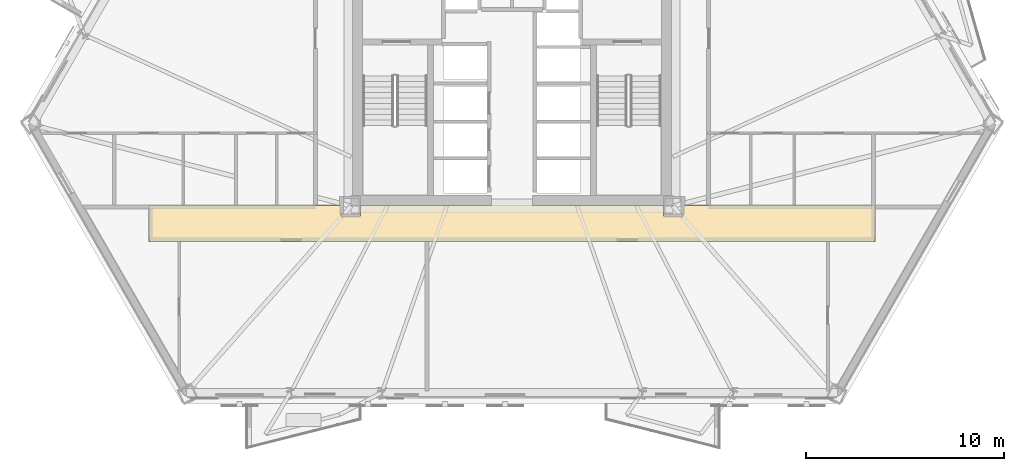
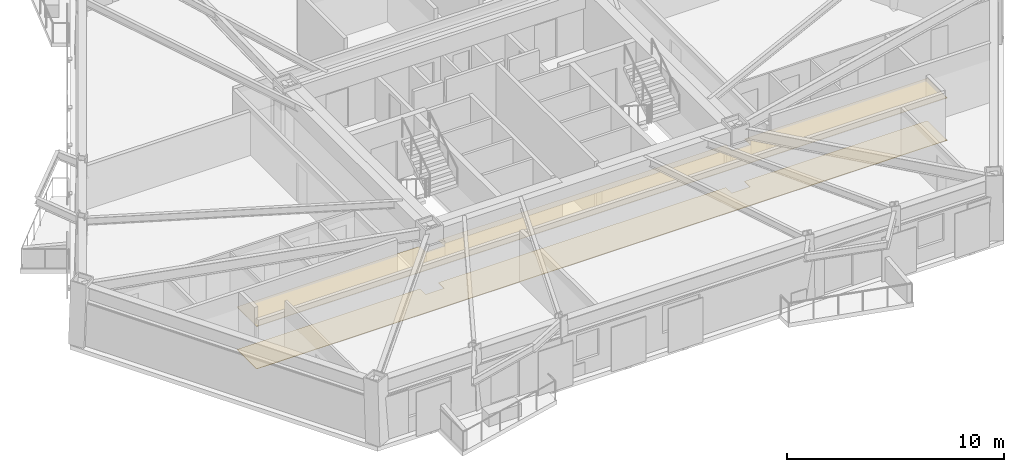
# One storey, part 9 of 12: 2 coverings.
"""IFC4 building model written with IfcOpenShell, lengths in metres."""

from ifc_helpers import new_model, si_unit, direction, frame, origin, place, context, subcontext, project, spatial, polyline, outline, extrude, material, layer, layer_set, type_object, element, save


model = new_model("IFC4")

# Units and contexts
model_context = context("Model", 3, precision=1e-05, world=origin(), true_north=direction((0.0, 1.0)))
body_context = subcontext(model_context, "Body", "Model", "MODEL_VIEW")
ifc_project = project(units=[si_unit("LENGTHUNIT", "METRE"), si_unit("AREAUNIT", "SQUARE_METRE"), si_unit("VOLUMEUNIT", "CUBIC_METRE"), si_unit("PLANEANGLEUNIT", "RADIAN"), si_unit("MASSUNIT", "GRAM", prefix="KILO")], contexts=[model_context])

# Site, building, storey
site_placement = place(None, origin())
site = spatial("IfcSite", under=ifc_project, at=site_placement, CompositionType="ELEMENT")
building_placement = place(site_placement, origin())
building = spatial("IfcBuilding", under=site, at=building_placement, Name="Oramaril Tower", CompositionType="ELEMENT")
storey_placement = place(building_placement, frame((0.0, 0.0, 30.89990234375)))
storey = spatial("IfcBuildingStorey", under=building, at=storey_placement, Name="L07", CompositionType="ELEMENT", Elevation=30.89990234375)

# Coverings
ifc_material_1 = material(Name="Mineral Fibre Acoustic Ceiling")
ifc_layer_1 = layer(ifc_material_1, 0.02001953125)
ifc_layer_set_1 = layer_set([ifc_layer_1], Name="CVT-CEIL")
covering_type_1 = type_object("IfcCoveringType", Name="CVT-CEIL", PredefinedType="CEILING", material=ifc_layer_set_1)
covering_1_placement = place(storey_placement, frame((0.0, 0.0, 2.400146484375)))
element("IfcCovering", 1, at=covering_1_placement, inside=storey, type_object=covering_type_1, Name="L07 Acoustic Suspended Ceiling 1", PredefinedType="CEILING", context=body_context, shape_type="SweptSolid", body=[
    extrude(outline(polyline([(28.85498046875, 10.5048828125), (29.844970703125, 10.5048828125), (29.844970703125, 11.030029296875), (45.155029296875, 11.030029296875), (45.155029296875, 10.5048828125), (46.14501953125, 10.5048828125), (46.14501953125, 11.030029296875), (55.8798828125, 11.030029296875), (55.8798828125, 9.219970703125), (19.1201171875, 9.219970703125), (19.1201171875, 11.030029296875), (28.85498046875, 11.030029296875), (28.85498046875, 10.5048828125)])), origin(), (0.0, 0.0, 1.0), 0.02001953125),
])
ifc_material_2 = material(Name="Honed Quartzite Stone Flooring", Category="masonry")
ifc_layer_2 = layer(ifc_material_2, 0.02490234375)
ifc_layer_set_2 = layer_set([ifc_layer_2], Name="CVT-FLR")
covering_type_2 = type_object("IfcCoveringType", Name="CVT-FLR", PredefinedType="FLOORING", material=ifc_layer_set_2)
covering_2_placement = place(storey_placement, origin())
element("IfcCovering", 2, at=covering_2_placement, inside=storey, type_object=covering_type_2, Name="L07 Honed Stone Floor Finish 1", PredefinedType="FLOORING", context=body_context, shape_type="SweptSolid", body=[
    extrude(outline(polyline([(28.85498046875, 10.5048828125), (29.844970703125, 10.5048828125), (29.844970703125, 11.030029296875), (45.155029296875, 11.030029296875), (45.155029296875, 10.5048828125), (46.14501953125, 10.5048828125), (46.14501953125, 11.030029296875), (55.8798828125, 11.030029296875), (55.8798828125, 9.219970703125), (19.1201171875, 9.219970703125), (19.1201171875, 11.030029296875), (28.85498046875, 11.030029296875), (28.85498046875, 10.5048828125)])), origin(), (0.0, 0.0, 1.0), 0.025146484375),
])

save(model, "model.ifc")
